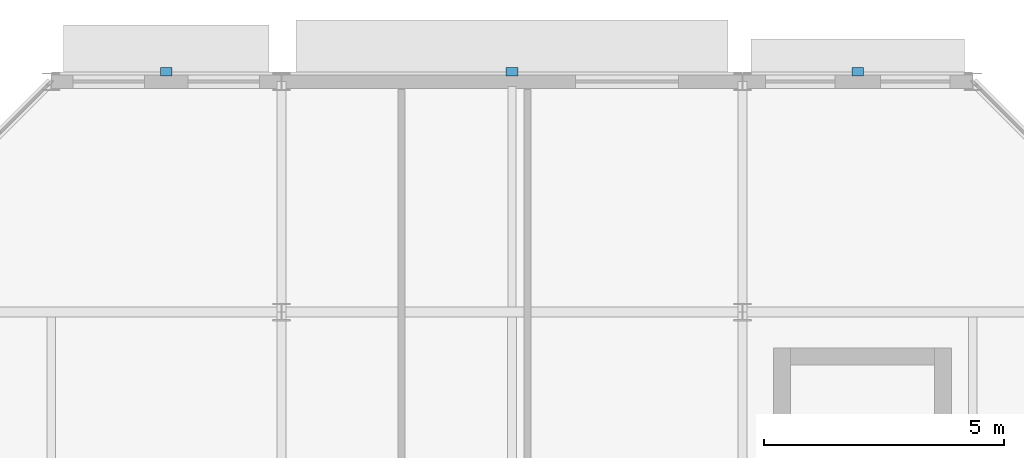
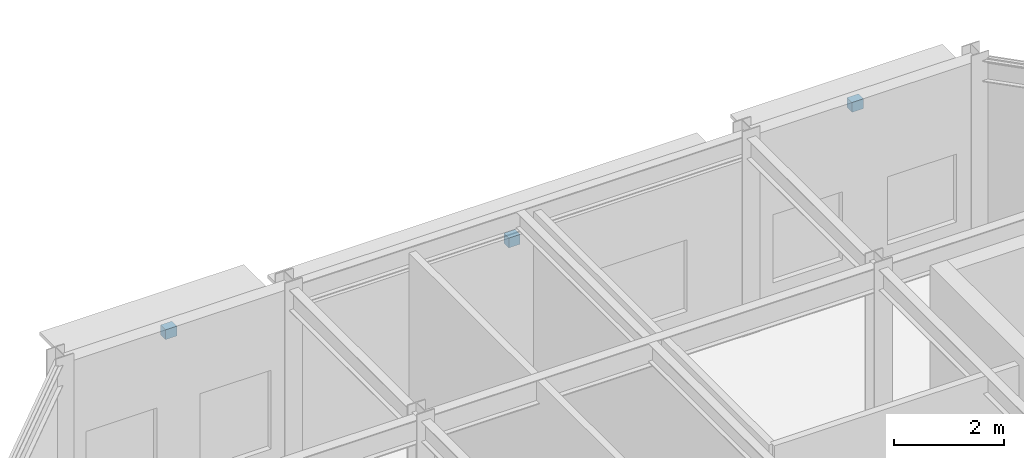
# One storey, part 113 of 133: 3 discrete accessories.
"""IFC4 building model written with IfcOpenShell, lengths in metres."""

from ifc_helpers import new_model, si_unit, direction, frame, origin, origin_2d, place, context, subcontext, project, spatial, rectangle, extrude, material, layer, layer_set, type_object, element, save


model = new_model("IFC4")

# Units and contexts
model_context = context("Model", 3, precision=1e-05, world=origin(), true_north=direction((0.0, 1.0)))
body_context = subcontext(model_context, "Body", "Model", "MODEL_VIEW")
ifc_project = project(units=[si_unit("LENGTHUNIT", "METRE"), si_unit("AREAUNIT", "SQUARE_METRE"), si_unit("VOLUMEUNIT", "CUBIC_METRE"), si_unit("PLANEANGLEUNIT", "RADIAN"), si_unit("MASSUNIT", "GRAM", prefix="KILO")], contexts=[model_context])

# Site, building, storey
site_placement = place(None, origin())
site = spatial("IfcSite", under=ifc_project, at=site_placement, CompositionType="ELEMENT")
building_placement = place(site_placement, origin())
building = spatial("IfcBuilding", under=site, at=building_placement, Name="Almandine Court Research Institute", CompositionType="ELEMENT")
storey_placement = place(building_placement, frame((0.0, 0.0, 9.800048828125)))
storey = spatial("IfcBuildingStorey", under=building, at=storey_placement, Name="L02", CompositionType="ELEMENT", Elevation=9.800048828125)

# Discrete accessories
ifc_material = material(Name="Galvanised Steel Facade Outrigger Bracket", Category="steel")
ifc_layer = layer(ifc_material, 0.219970703125)
ifc_layer_set = layer_set([ifc_layer], Name="Galvanised Steel Facade Outrigger Bracket")
discrete_accessory_type = type_object("IfcDiscreteAccessoryType", Name="Acc-CHJ-BRACKET", PredefinedType="BRACKET", material=ifc_layer_set)
for number, where, z_axis, x_axis, name in (
    (1, (13.199951171875, 117.804931640625, 3.93994140625), (0.0, 0.0, 1.0), (1.0, 0.0, 0.0), "L02 Chhajja Outrigger Bracket 30"),
    (2, (20.39990234375, 117.804931640625, 3.4541015625), (0.0, 0.0, 1.0), (1.0, 0.0, 0.0), "L02 Chhajja Outrigger Bracket 31"),
    (3, (27.60009765625, 117.804931640625, 3.93994140625), (0.0, 0.0, 1.0), (1.0, 0.0, 0.0), "L02 Chhajja Outrigger Bracket 32"),
):
    element("IfcDiscreteAccessory", number, at=place(storey_placement, frame(where, z_axis=z_axis, x_axis=x_axis)), inside=storey, type_object=discrete_accessory_type, Name=name, PredefinedType="BRACKET", context=body_context, shape_type="SweptSolid", body=[
        extrude(rectangle(XDim=0.239990234375, YDim=0.179931640625, at=origin_2d()), origin(), (0.0, 0.0, 1.0), 0.219970703125),
    ])

save(model, "model.ifc")
